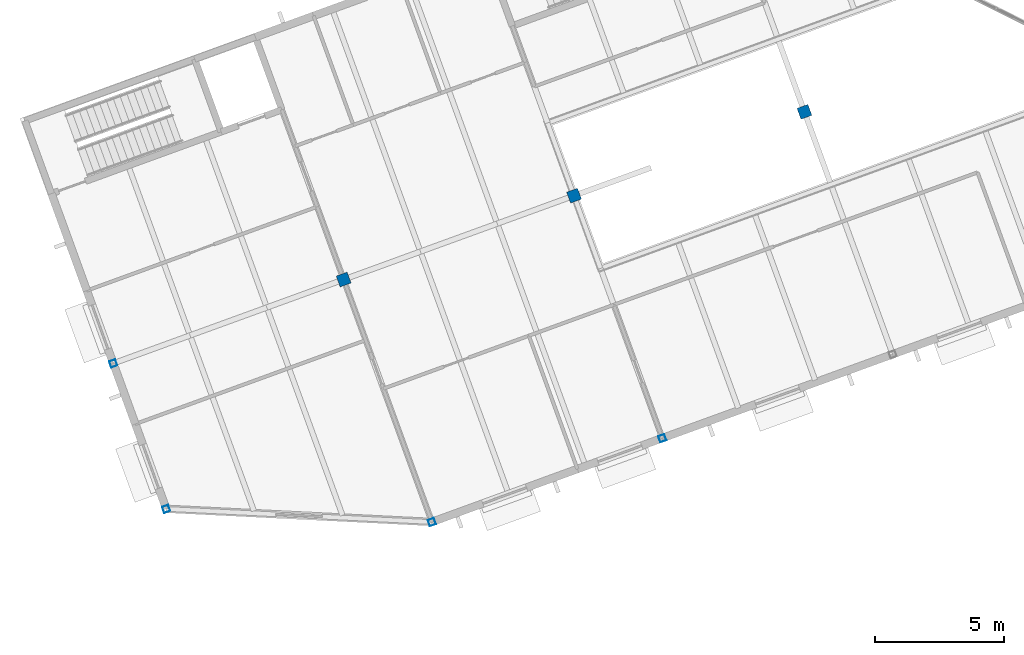
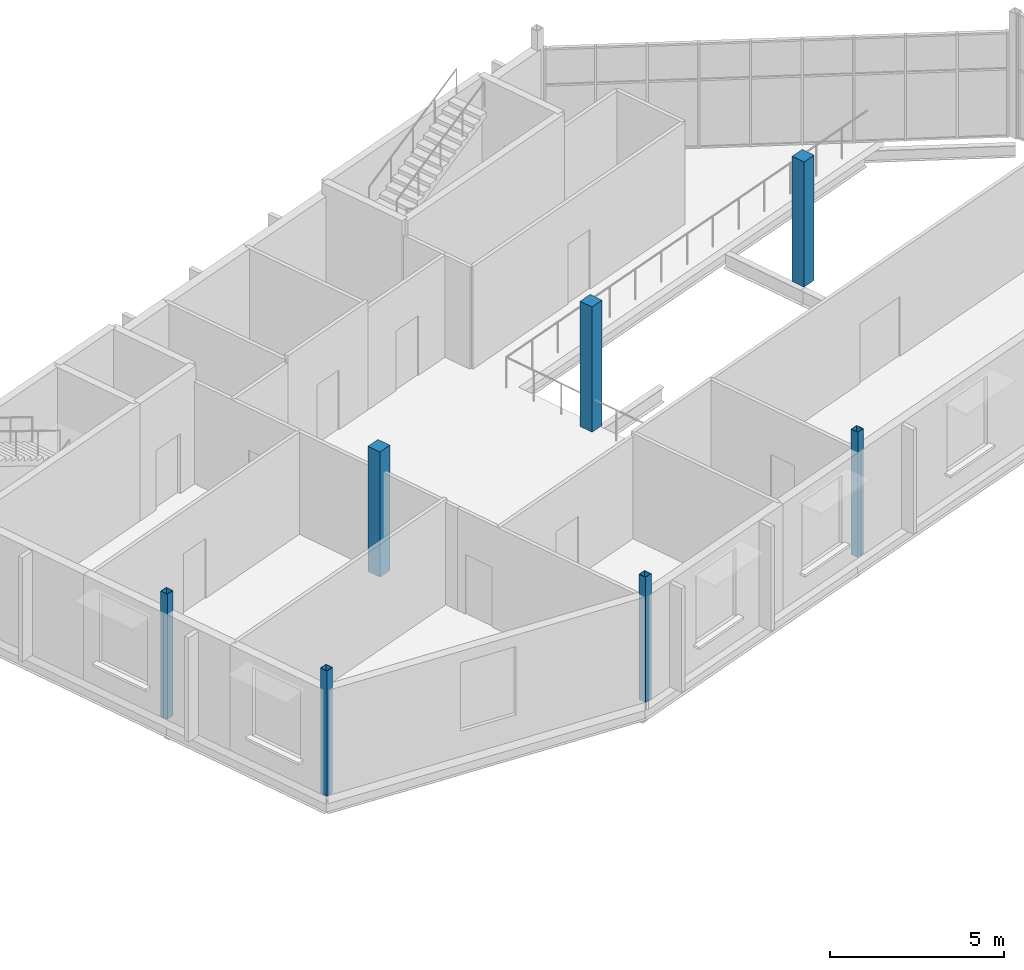
# One storey, part 10 of 115: 7 columns.
"""IFC4 building model written with IfcOpenShell, lengths in metres."""

from ifc_helpers import new_model, si_unit, direction, frame, origin, origin_2d, place, context, subcontext, project, spatial, rectangle, hollow_rectangle, extrude, material, material_profile, profile_set, type_object, element, save


model = new_model("IFC4")

# Units and contexts
model_context = context("Model", 3, precision=1e-05, world=origin(), true_north=direction((0.0, 1.0)))
body_context = subcontext(model_context, "Body", "Model", "MODEL_VIEW")
ifc_project = project(units=[si_unit("LENGTHUNIT", "METRE"), si_unit("AREAUNIT", "SQUARE_METRE"), si_unit("VOLUMEUNIT", "CUBIC_METRE"), si_unit("PLANEANGLEUNIT", "RADIAN"), si_unit("MASSUNIT", "GRAM", prefix="KILO")], contexts=[model_context])

# Site, building, storey
site_placement = place(None, origin())
site = spatial("IfcSite", under=ifc_project, at=site_placement, CompositionType="ELEMENT")
building_placement = place(site_placement, origin())
building = spatial("IfcBuilding", under=site, at=building_placement, Name="Windward Yard Aquatics Centre", CompositionType="ELEMENT")
storey_placement = place(building_placement, frame((0.0, 0.0, 5.0)))
storey = spatial("IfcBuildingStorey", under=building, at=storey_placement, Name="L01", CompositionType="ELEMENT", Elevation=5.0)

# Columns
ifc_material_1 = material(Name="Steel S355", Category="steel")
ifc_material_profile_1 = material_profile(ifc_material_1, hollow_rectangle(XDim=0.25390625, YDim=0.25390625, WallThickness=0.01171875, at=origin_2d()), Name="HSS254x254x12.7")
ifc_profile_set_1 = profile_set([ifc_material_profile_1], Name="Steel S355")
column_type_1 = type_object("IfcColumnType", Name="F HSS254x254x12.7 column", PredefinedType="COLUMN", material=ifc_profile_set_1)
for number, where, z_axis, x_axis, name in (
    (1, (10.197998046875, 79.863525390625, 0.0), (0.0, 0.0, 1.0), (0.939692620786, 0.342020143326, 0.0), "F.COL.L01.01"),
    (2, (20.4931640625, 79.35400390625, 0.0), (0.0, 0.0, 1.0), (0.939692620786, 0.342020143326, 0.0), "F.COL.L01.02"),
    (3, (29.420166015625, 82.60302734375, 0.0), (0.0, 0.0, 1.0), (0.939692620786, 0.342020143326, 0.0), "F.COL.L01.03"),
    (4, (8.145751953125, 85.501708984375, 0.0), (0.0, 0.0, 1.0), (0.939692620786, 0.342020143326, 0.0), "F.COL.L01.08"),
):
    element("IfcColumn", number, at=place(storey_placement, frame(where, z_axis=z_axis, x_axis=x_axis)), inside=storey, type_object=column_type_1, Name=name, PredefinedType="COLUMN", context=body_context, shape_type="SweptSolid", body=[
        extrude(hollow_rectangle(XDim=0.25390625, YDim=0.25390625, WallThickness=0.01171875, at=origin_2d()), origin(), (0.0, 0.0, 1.0), 4.39990234375),
    ])
ifc_material_2 = material(Name="Concrete C40/50", Category="concrete")
ifc_material_profile_2 = material_profile(ifc_material_2, rectangle(XDim=0.449951171875, YDim=0.449951171875, at=origin_2d()), Name="RC 450x450")
ifc_profile_set_2 = profile_set([ifc_material_profile_2], Name="Concrete C40/50")
column_type_2 = type_object("IfcColumnType", Name="F RC 450x450 column Concrete C40/50", PredefinedType="COLUMN", material=ifc_profile_set_2)
for number, where, z_axis, x_axis, name in (
    (5, (17.072998046875, 88.750732421875, 0.0), (0.0, 0.0, 1.0), (0.939692620786, 0.342020143326, 0.0), "F.COL.L01.09"),
    (6, (26.0, 92.0, 0.0), (0.0, 0.0, 1.0), (0.939692620786, 0.342020143326, 0.0), "F.COL.L01.10"),
    (7, (34.927001953125, 95.249267578125, 0.0), (0.0, 0.0, 1.0), (0.939692620786, 0.342020143326, 0.0), "F.COL.L01.11"),
):
    element("IfcColumn", number, at=place(storey_placement, frame(where, z_axis=z_axis, x_axis=x_axis)), inside=storey, type_object=column_type_2, Name=name, PredefinedType="COLUMN", context=body_context, shape_type="SweptSolid", body=[
        extrude(rectangle(XDim=0.449951171875, YDim=0.449951171875, at=origin_2d()), origin(), (0.0, 0.0, 1.0), 4.39990234375),
    ])

save(model, "model.ifc")
